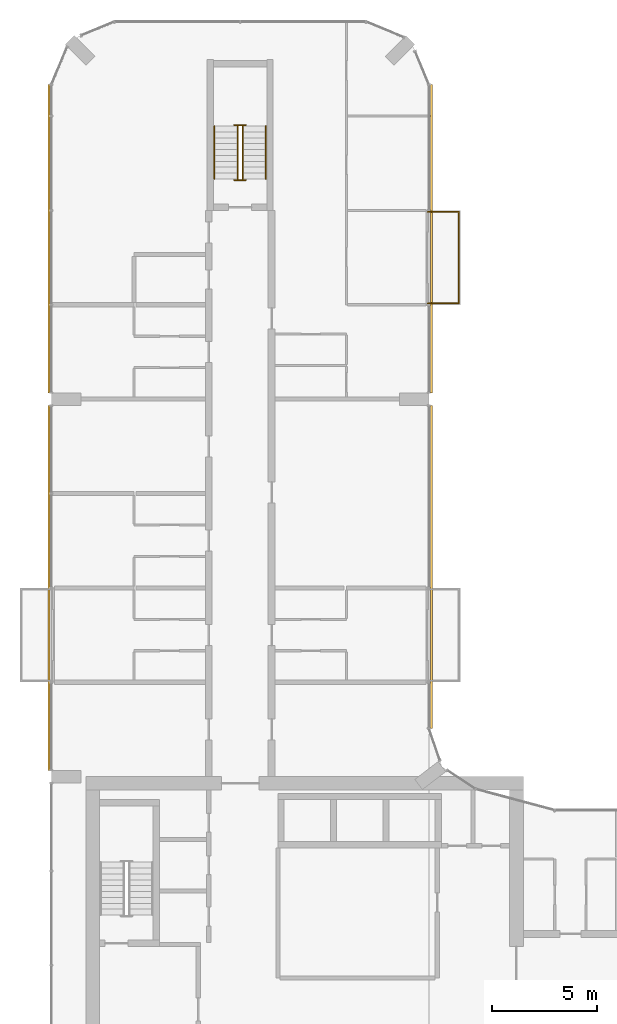
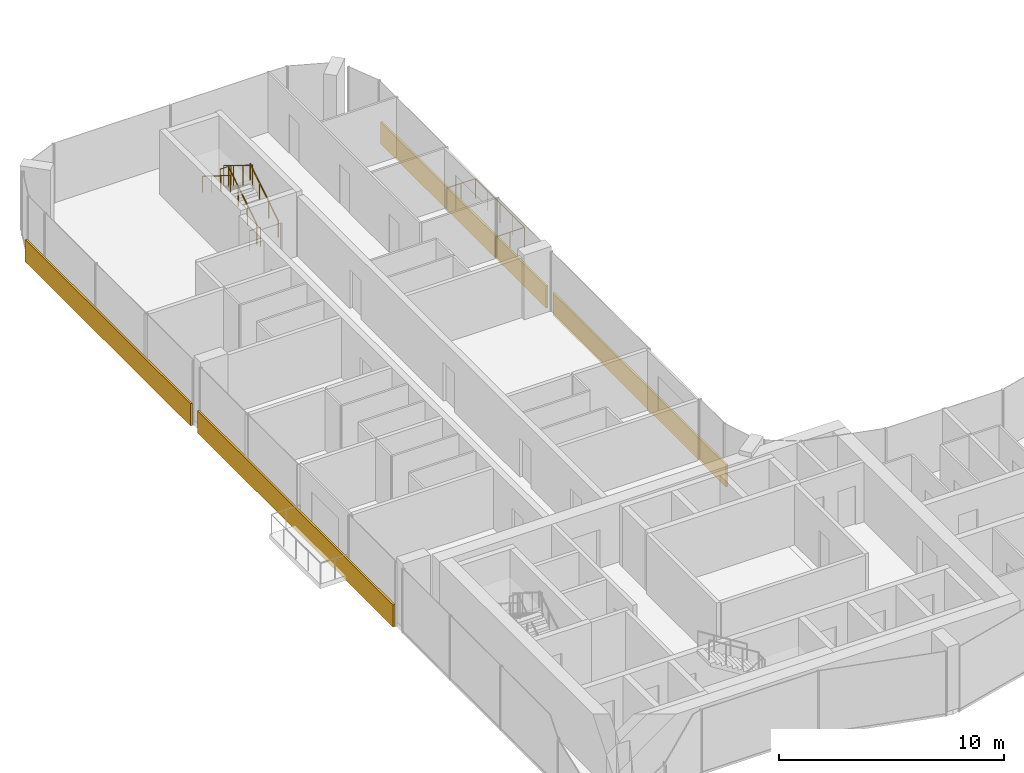
# One storey, part 21 of 22: 7 railings, 4 coverings.
"""IFC4 building model written with IfcOpenShell, lengths in metres."""

from ifc_helpers import new_model, si_unit, direction, frame, origin, origin_2d, place, context, subcontext, project, spatial, rectangle, circle, extrude, material, layer, layer_set, type_object, element, save


model = new_model("IFC4")

# Units and contexts
model_context = context("Model", 3, precision=1e-05, world=origin(), true_north=direction((0.0, 1.0)))
body_context = subcontext(model_context, "Body", "Model", "MODEL_VIEW")
ifc_project = project(units=[si_unit("LENGTHUNIT", "METRE"), si_unit("AREAUNIT", "SQUARE_METRE"), si_unit("VOLUMEUNIT", "CUBIC_METRE"), si_unit("PLANEANGLEUNIT", "RADIAN"), si_unit("MASSUNIT", "GRAM", prefix="KILO")], contexts=[model_context])

# Site, building, storey
site_placement = place(None, origin())
site = spatial("IfcSite", under=ifc_project, at=site_placement, CompositionType="ELEMENT")
building_placement = place(site_placement, origin())
building = spatial("IfcBuilding", under=site, at=building_placement, Name="Plateau Cross Towers", CompositionType="ELEMENT")
storey_placement = place(building_placement, frame((0.0, 0.0, 106.300048828125)))
storey = spatial("IfcBuildingStorey", under=building, at=storey_placement, Name="L27", CompositionType="ELEMENT", Elevation=106.300048828125)

# Railings
ifc_material_1 = material(Name="Stainless steel and toughened glass", Category="steel")
railing_type_1 = type_object("IfcRailingType", Name="Glass balustrade guard 1100", PredefinedType="GUARDRAIL", material=ifc_material_1)
railing_1_placement = place(storey_placement, frame((17.949951171875, 44.929931640625, 0.0)))
element("IfcRailing", 1, at=railing_1_placement, inside=storey, type_object=railing_type_1, Name="Guard guard1", PredefinedType="GUARDRAIL", context=body_context, shape_type="SweptSolid", body=[
    extrude(circle(Radius=0.02392578125, at=origin_2d()), frame((0.0, 0.0, 1.076171875), z_axis=(1.0, 0.0, 0.0), x_axis=(0.0, 1.0, 0.0)), (0.0, 0.0, 1.0), 1.47998046875),
    extrude(circle(Radius=0.02392578125, at=origin_2d()), frame((1.47998046875, 0.0, 1.076171875), z_axis=(0.0, -1.0, 0.0), x_axis=(1.0, 0.0, 0.0)), (0.0, 0.0, 1.0), 4.35986328125),
    extrude(circle(Radius=0.02392578125, at=origin_2d()), frame((1.47998046875, -4.35986328125, 1.076171875), z_axis=(-1.0, 0.0, 0.0), x_axis=(0.0, -1.0, 0.0)), (0.0, 0.0, 1.0), 1.47998046875),
    extrude(circle(Radius=0.02099609375, at=origin_2d()), origin(), (0.0, 0.0, 1.0), 1.052001953125),
    extrude(circle(Radius=0.02099609375, at=origin_2d()), frame((0.739990234375, 0.0, 0.0)), (0.0, 0.0, 1.0), 1.052001953125),
    extrude(circle(Radius=0.02099609375, at=origin_2d()), frame((1.47998046875, 0.0, 0.0)), (0.0, 0.0, 1.0), 1.052001953125),
    extrude(circle(Radius=0.02099609375, at=origin_2d()), frame((1.47998046875, -1.08984375, 0.0)), (0.0, 0.0, 1.0), 1.052001953125),
    extrude(circle(Radius=0.02099609375, at=origin_2d()), frame((1.47998046875, -2.179931640625, 0.0)), (0.0, 0.0, 1.0), 1.052001953125),
    extrude(circle(Radius=0.02099609375, at=origin_2d()), frame((1.47998046875, -3.27001953125, 0.0)), (0.0, 0.0, 1.0), 1.052001953125),
    extrude(circle(Radius=0.02099609375, at=origin_2d()), frame((1.47998046875, -4.35986328125, 0.0)), (0.0, 0.0, 1.0), 1.052001953125),
    extrude(circle(Radius=0.02099609375, at=origin_2d()), frame((0.739990234375, -4.35986328125, 0.0)), (0.0, 0.0, 1.0), 1.052001953125),
    extrude(circle(Radius=0.02099609375, at=origin_2d()), frame((0.0, -4.35986328125, 0.0)), (0.0, 0.0, 1.0), 1.052001953125),
])
railing_type_2 = type_object("IfcRailingType", Name="RL-GUARD-1100", PredefinedType="GUARDRAIL", material=ifc_material_1)
railing_2_placement = place(storey_placement, frame((9.125, 46.5, 0.175048828125)))
element("IfcRailing", 2, at=railing_2_placement, inside=storey, type_object=railing_type_2, Name="L27 ES-N stair guard 1", PredefinedType="GUARDRAIL", context=body_context, shape_type="SweptSolid", body=[
    extrude(circle(Radius=0.02392578125, at=origin_2d()), frame((0.0, 0.0, 1.076171875), z_axis=(0.0, 0.848007534815, 0.529984170421), x_axis=(-1.0, 0.0, 0.0)), (0.0, 0.0, 1.0), 2.9716796875),
    extrude(circle(Radius=0.02099609375, at=origin_2d()), origin(), (0.0, 0.0, 1.0), 1.052001953125),
    extrude(circle(Radius=0.02099609375, at=origin_2d()), frame((0.0, 0.840087890625, 0.52490234375)), (0.0, 0.0, 1.0), 1.052001953125),
    extrude(circle(Radius=0.02099609375, at=origin_2d()), frame((0.0, 1.679931640625, 1.050048828125)), (0.0, 0.0, 1.0), 1.052001953125),
    extrude(circle(Radius=0.02099609375, at=origin_2d()), frame((0.0, 2.52001953125, 1.574951171875)), (0.0, 0.0, 1.0), 1.052001953125),
])
railing_3_placement = place(storey_placement, frame((9.27490234375, 49.070068359375, 1.75)))
element("IfcRailing", 3, at=railing_3_placement, inside=storey, type_object=railing_type_2, Name="L27 ES-N stair guard 2", PredefinedType="GUARDRAIL", context=body_context, shape_type="SweptSolid", body=[
    extrude(circle(Radius=0.02392578125, at=origin_2d()), frame((0.0, 0.0, 1.076171875), z_axis=(-1.0, 0.0, 0.0), x_axis=(0.0, -1.0, 0.0)), (0.0, 0.0, 1.0), 0.5498046875),
    extrude(circle(Radius=0.02099609375, at=origin_2d()), origin(), (0.0, 0.0, 1.0), 1.052001953125),
    extrude(circle(Radius=0.02099609375, at=origin_2d()), frame((-0.5498046875, 0.0, 0.0)), (0.0, 0.0, 1.0), 1.052001953125),
])
railing_4_placement = place(storey_placement, frame((8.875, 49.02001953125, 1.925048828125)))
element("IfcRailing", 4, at=railing_4_placement, inside=storey, type_object=railing_type_2, Name="L27 ES-N stair guard 3", PredefinedType="GUARDRAIL", context=body_context, shape_type="SweptSolid", body=[
    extrude(circle(Radius=0.02392578125, at=origin_2d()), frame((0.0, 0.0, 1.076171875), z_axis=(0.0, -0.852638500773, 0.522501279423), x_axis=(1.0, 0.0, 0.0)), (0.0, 0.0, 1.0), 3.01416015625),
    extrude(circle(Radius=0.02099609375, at=origin_2d()), origin(), (0.0, 0.0, 1.0), 1.052001953125),
    extrude(circle(Radius=0.02099609375, at=origin_2d()), frame((0.0, -0.856689453125, 0.52490234375)), (0.0, 0.0, 1.0), 1.052001953125),
    extrude(circle(Radius=0.02099609375, at=origin_2d()), frame((0.0, -1.71337890625, 1.050048828125)), (0.0, 0.0, 1.0), 1.052001953125),
    extrude(circle(Radius=0.02099609375, at=origin_2d()), frame((0.0, -2.570068359375, 1.574951171875)), (0.0, 0.0, 1.0), 1.052001953125),
])
railing_5_placement = place(storey_placement, frame((9.27490234375, 46.449951171875, 0.0)))
element("IfcRailing", 5, at=railing_5_placement, inside=storey, type_object=railing_type_2, Name="L27 ES-N stair guard 4", PredefinedType="GUARDRAIL", context=body_context, shape_type="SweptSolid", body=[
    extrude(circle(Radius=0.02392578125, at=origin_2d()), frame((0.0, 0.0, 1.076171875), z_axis=(-1.0, 0.0, 0.0), x_axis=(0.0, -1.0, 0.0)), (0.0, 0.0, 1.0), 0.5498046875),
    extrude(circle(Radius=0.02099609375, at=origin_2d()), origin(), (0.0, 0.0, 1.0), 1.052001953125),
    extrude(circle(Radius=0.02099609375, at=origin_2d()), frame((-0.5498046875, 0.0, 0.0)), (0.0, 0.0, 1.0), 1.052001953125),
])
ifc_material_2 = material(Name="Black anodised aluminium", Category="aluminium")
railing_type_3 = type_object("IfcRailingType", Name="RL-HANDRAIL-900", PredefinedType="HANDRAIL", material=ifc_material_2)
railing_6_placement = place(storey_placement, frame((10.22509765625, 46.5, 0.175048828125)))
element("IfcRailing", 6, at=railing_6_placement, inside=storey, type_object=railing_type_3, Name="L27 ES-N stair handrail 1", PredefinedType="HANDRAIL", context=body_context, shape_type="SweptSolid", body=[
    extrude(circle(Radius=0.02392578125, at=origin_2d()), frame((0.0, 0.0, 0.8759765625), z_axis=(0.0, 0.848007534815, 0.529984170421), x_axis=(-1.0, 0.0, 0.0)), (0.0, 0.0, 1.0), 2.9716796875),
    extrude(circle(Radius=0.02099609375, at=origin_2d()), origin(), (0.0, 0.0, 1.0), 0.851806640625),
    extrude(circle(Radius=0.02099609375, at=origin_2d()), frame((0.0, 0.840087890625, 0.52490234375)), (0.0, 0.0, 1.0), 0.851806640625),
    extrude(circle(Radius=0.02099609375, at=origin_2d()), frame((0.0, 1.679931640625, 1.050048828125)), (0.0, 0.0, 1.0), 0.851806640625),
    extrude(circle(Radius=0.02099609375, at=origin_2d()), frame((0.0, 2.52001953125, 1.574951171875)), (0.0, 0.0, 1.0), 0.851806640625),
])
railing_7_placement = place(storey_placement, frame((7.77490234375, 49.02001953125, 1.925048828125)))
element("IfcRailing", 7, at=railing_7_placement, inside=storey, type_object=railing_type_3, Name="L27 ES-N stair handrail 2", PredefinedType="HANDRAIL", context=body_context, shape_type="SweptSolid", body=[
    extrude(circle(Radius=0.02392578125, at=origin_2d()), frame((0.0, 0.0, 0.8759765625), z_axis=(0.0, -0.848007534815, 0.529984170421), x_axis=(1.0, 0.0, 0.0)), (0.0, 0.0, 1.0), 2.9716796875),
    extrude(circle(Radius=0.02099609375, at=origin_2d()), origin(), (0.0, 0.0, 1.0), 0.851806640625),
    extrude(circle(Radius=0.02099609375, at=origin_2d()), frame((0.0, -0.840087890625, 0.52490234375)), (0.0, 0.0, 1.0), 0.851806640625),
    extrude(circle(Radius=0.02099609375, at=origin_2d()), frame((0.0, -1.679931640625, 1.050048828125)), (0.0, 0.0, 1.0), 0.851806640625),
    extrude(circle(Radius=0.02099609375, at=origin_2d()), frame((0.0, -2.52001953125, 1.574951171875)), (0.0, 0.0, 1.0), 0.851806640625),
])

# Coverings
ifc_material_3 = material(Name="Precast concrete cladding C40/50", Category="concrete")
ifc_layer = layer(ifc_material_3, 0.10009765625)
ifc_layer_set = layer_set([ifc_layer], Name="Precast concrete cladding C40/50")
covering_type = type_object("IfcCoveringType", Name="Spandrel band cladding 100x1200", PredefinedType="CLADDING", material=ifc_layer_set)
covering_1_placement = place(storey_placement, frame((18.1201171875, 28.001220703125, -0.25), z_axis=(0.0, 0.0, 1.0), x_axis=(0.0, 1.0, 0.0)))
element("IfcCovering", 8, at=covering_1_placement, inside=storey, type_object=covering_type, Name="Spandrel band", PredefinedType="CLADDING", context=body_context, shape_type="SweptSolid", body=[
    extrude(rectangle(XDim=15.397705078125, YDim=0.10009765625, at=origin_2d()), origin(), (0.0, 0.0, 1.0), 1.199951171875),
])
for number, where, z_axis, x_axis, name in (
    (9, (18.1201171875, 43.64990234375, -0.25), (0.0, 0.0, 1.0), (0.0, 1.0, 0.0), "Spandrel band"),
    (10, (-0.1201171875, 43.64990234375, -0.25), (0.0, 0.0, 1.0), (0.0, -1.0, 0.0), "Spandrel band"),
):
    element("IfcCovering", number, at=place(storey_placement, frame(where, z_axis=z_axis, x_axis=x_axis)), inside=storey, type_object=covering_type, Name=name, PredefinedType="CLADDING", context=body_context, shape_type="SweptSolid", body=[
        extrude(rectangle(XDim=14.699951171875, YDim=0.10009765625, at=origin_2d()), origin(), (0.0, 0.0, 1.0), 1.199951171875),
    ])
covering_2_placement = place(storey_placement, frame((-0.1201171875, 27.0, -0.25), z_axis=(0.0, 0.0, 1.0), x_axis=(0.0, -1.0, 0.0)))
element("IfcCovering", 11, at=covering_2_placement, inside=storey, type_object=covering_type, Name="Spandrel band", PredefinedType="CLADDING", context=body_context, shape_type="SweptSolid", body=[
    extrude(rectangle(XDim=17.39990234375, YDim=0.10009765625, at=origin_2d()), origin(), (0.0, 0.0, 1.0), 1.199951171875),
])

save(model, "model.ifc")
